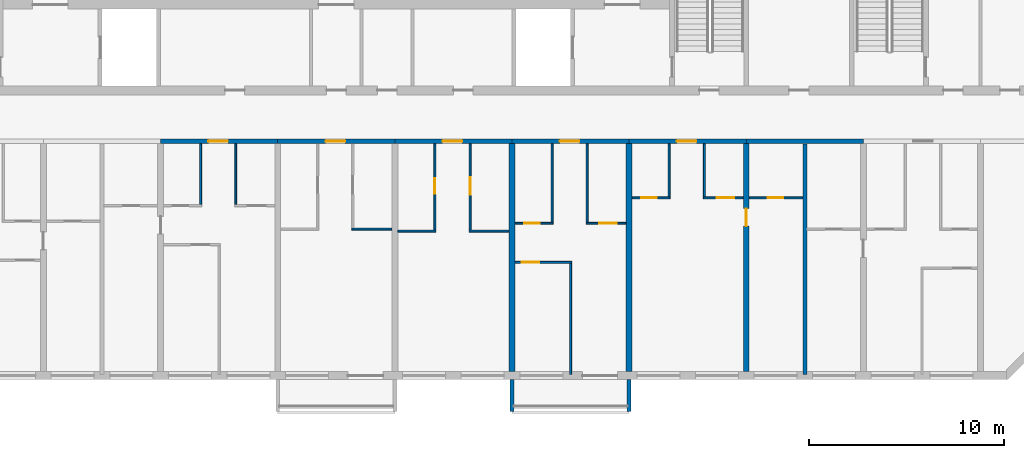
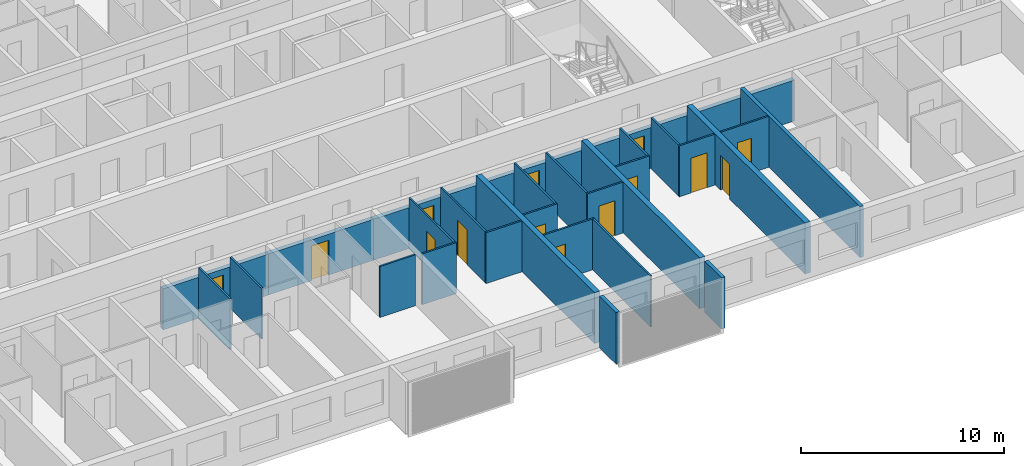
# One storey, part 5 of 31: 30 walls, 14 doors, 14 openings.
"""IFC4 building model written with IfcOpenShell, lengths in metres."""

from ifc_helpers import new_model, si_unit, direction, frame, frame_2d, origin, place, context, subcontext, project, spatial, polyline, rectangle, outline, extrude, source, transform, mapped, material, layer, layer_set, type_object, element, fill, save


model = new_model("IFC4")

# Units and contexts
model_context = context("Model", 3, precision=1e-05, world=origin(), true_north=direction((0.0, 1.0)))
body_context = subcontext(model_context, "Body", "Model", "MODEL_VIEW")
ifc_project = project(units=[si_unit("LENGTHUNIT", "METRE"), si_unit("AREAUNIT", "SQUARE_METRE"), si_unit("VOLUMEUNIT", "CUBIC_METRE"), si_unit("PLANEANGLEUNIT", "RADIAN"), si_unit("MASSUNIT", "GRAM", prefix="KILO")], contexts=[model_context])

# Site, building, storey
site_placement = place(None, origin())
site = spatial("IfcSite", under=ifc_project, at=site_placement, CompositionType="ELEMENT")
building_placement = place(site_placement, origin())
building = spatial("IfcBuilding", under=site, at=building_placement, Name="Poui Terraces", CompositionType="ELEMENT")
storey_placement = place(building_placement, frame((0.0, 0.0, 142.199951171875)))
storey = spatial("IfcBuildingStorey", under=building, at=storey_placement, Name="L39", CompositionType="ELEMENT", Elevation=142.199951171875)

# Wall, opening, door
ifc_material_1 = material(Name="Concrete 65 MPa", Category="concrete")
ifc_layer_1 = layer(ifc_material_1, 0.25)
ifc_layer_set_1 = layer_set([ifc_layer_1], Name="Concrete 65 MPa")
wall_type_1 = type_object("IfcWallType", Name="CORRIDOR WALL 250 65MPa", PredefinedType="SHEAR", material=ifc_layer_set_1)
wall_1_placement = place(storey_placement, frame((42.0, 12.0, 0.0), z_axis=(0.0, 0.0, 1.0), x_axis=(1.0, 0.0, 0.0)))
wall_1 = element("IfcWall", 1, at=wall_1_placement, inside=storey, type_object=wall_type_1, Name="CORRIDOR WALL LINE B BAY 6", PredefinedType="SHEAR", context=body_context, shape_type="SweptSolid", body=[
    extrude(rectangle(XDim=6.0, YDim=0.25, at=frame_2d((3.0, 0.0))), origin(), (0.0, 0.0, 1.0), 2.469970703125),
])
opening_1_placement = place(wall_1_placement, frame((2.449951171875, 0.0, 0.0)))
opening_1 = element("IfcOpeningElement", 2, at=opening_1_placement, cuts=wall_1, Name="Opening FD30S", PredefinedType="OPENING", context=body_context, shape_type="SweptSolid", body=[
    extrude(rectangle(XDim=1.0, YDim=2.10009765625, at=frame_2d((0.5, 1.050048828125))), frame((0.0, 0.135009765625, 0.0), z_axis=(0.0, -1.0, 0.0), x_axis=(1.0, 0.0, 0.0)), (0.0, 0.0, 1.0), 0.27001953125),
])
ifc_material_2 = material(Name="Steel fire door", Category="steel")
door_type_1 = type_object("IfcDoorType", Name="FLAT ENTRANCE DOOR 1000 X 2100", OperationType="NOTDEFINED", PredefinedType="DOOR", material=ifc_material_2)
door_1_placement = place(opening_1_placement, frame((1.0, 0.0, 0.0), z_axis=(0.0, 0.0, 1.0), x_axis=(-1.0, 0.0, 0.0)))
door_1 = element("IfcDoor", 3, at=door_1_placement, inside=storey, type_object=door_type_1, Name="FLAT ENTRANCE DOOR 096", OperationType="SINGLE_SWING_RIGHT", OverallHeight=2.10009765625, OverallWidth=1.0, PredefinedType="DOOR", context=body_context, shape_type="SweptSolid", body=[
    extrude(rectangle(XDim=1.0, YDim=2.10009765625, at=frame_2d((0.5, 1.050048828125))), frame((0.0, 0.02490234375, 0.0), z_axis=(0.0, -1.0, 0.0), x_axis=(1.0, 0.0, 0.0)), (0.0, 0.0, 1.0), 0.050048828125),
])
fill(opening_1, door_1)

wall_2_placement = place(storey_placement, frame((48.0, 12.0, 0.0), z_axis=(0.0, 0.0, 1.0), x_axis=(1.0, 0.0, 0.0)))
wall_2 = element("IfcWall", 4, at=wall_2_placement, inside=storey, type_object=wall_type_1, Name="CORRIDOR WALL LINE B BAY 7", PredefinedType="SHEAR", context=body_context, shape_type="SweptSolid", body=[
    extrude(rectangle(XDim=6.0, YDim=0.25, at=frame_2d((3.0, 0.0))), origin(), (0.0, 0.0, 1.0), 2.469970703125),
])
opening_2_placement = place(wall_2_placement, frame((2.449951171875, 0.0, 0.0)))
opening_2 = element("IfcOpeningElement", 5, at=opening_2_placement, cuts=wall_2, Name="Opening FD30S", PredefinedType="OPENING", context=body_context, shape_type="SweptSolid", body=[
    extrude(rectangle(XDim=1.0, YDim=2.10009765625, at=frame_2d((0.5, 1.050048828125))), frame((0.0, 0.135009765625, 0.0), z_axis=(0.0, -1.0, 0.0), x_axis=(1.0, 0.0, 0.0)), (0.0, 0.0, 1.0), 0.27001953125),
])
door_2_placement = place(opening_2_placement, frame((1.0, 0.0, 0.0), z_axis=(0.0, 0.0, 1.0), x_axis=(-1.0, 0.0, 0.0)))
door_2 = element("IfcDoor", 6, at=door_2_placement, inside=storey, type_object=door_type_1, Name="FLAT ENTRANCE DOOR 099", OperationType="SINGLE_SWING_RIGHT", OverallHeight=2.10009765625, OverallWidth=1.0, PredefinedType="DOOR", context=body_context, shape_type="SweptSolid", body=[
    extrude(rectangle(XDim=1.0, YDim=2.10009765625, at=frame_2d((0.5, 1.050048828125))), frame((0.0, 0.02490234375, 0.0), z_axis=(0.0, -1.0, 0.0), x_axis=(1.0, 0.0, 0.0)), (0.0, 0.0, 1.0), 0.050048828125),
])
fill(opening_2, door_2)

wall_3_placement = place(storey_placement, frame((54.0, 12.0, 0.0), z_axis=(0.0, 0.0, 1.0), x_axis=(1.0, 0.0, 0.0)))
wall_3 = element("IfcWall", 7, at=wall_3_placement, inside=storey, type_object=wall_type_1, Name="CORRIDOR WALL LINE B BAY 8", PredefinedType="SHEAR", context=body_context, shape_type="SweptSolid", body=[
    extrude(rectangle(XDim=6.0, YDim=0.25, at=frame_2d((3.0, 0.0))), origin(), (0.0, 0.0, 1.0), 2.469970703125),
])
opening_3_placement = place(wall_3_placement, frame((2.449951171875, 0.0, 0.0)))
opening_3 = element("IfcOpeningElement", 8, at=opening_3_placement, cuts=wall_3, Name="Opening FD30S", PredefinedType="OPENING", context=body_context, shape_type="SweptSolid", body=[
    extrude(rectangle(XDim=1.0, YDim=2.10009765625, at=frame_2d((0.5, 1.050048828125))), frame((0.0, 0.135009765625, 0.0), z_axis=(0.0, -1.0, 0.0), x_axis=(1.0, 0.0, 0.0)), (0.0, 0.0, 1.0), 0.27001953125),
])
door_3_placement = place(opening_3_placement, frame((1.0, 0.0, 0.0), z_axis=(0.0, 0.0, 1.0), x_axis=(-1.0, 0.0, 0.0)))
door_3 = element("IfcDoor", 9, at=door_3_placement, inside=storey, type_object=door_type_1, Name="FLAT ENTRANCE DOOR 102", OperationType="SINGLE_SWING_RIGHT", OverallHeight=2.10009765625, OverallWidth=1.0, PredefinedType="DOOR", context=body_context, shape_type="SweptSolid", body=[
    extrude(rectangle(XDim=1.0, YDim=2.10009765625, at=frame_2d((0.5, 1.050048828125))), frame((0.0, 0.02490234375, 0.0), z_axis=(0.0, -1.0, 0.0), x_axis=(1.0, 0.0, 0.0)), (0.0, 0.0, 1.0), 0.050048828125),
])
fill(opening_3, door_3)

wall_4_placement = place(storey_placement, frame((60.0, 12.0, 0.0), z_axis=(0.0, 0.0, 1.0), x_axis=(1.0, 0.0, 0.0)))
wall_4 = element("IfcWall", 10, at=wall_4_placement, inside=storey, type_object=wall_type_1, Name="CORRIDOR WALL LINE B BAY 9", PredefinedType="SHEAR", context=body_context, shape_type="SweptSolid", body=[
    extrude(rectangle(XDim=6.0, YDim=0.25, at=frame_2d((3.0, 0.0))), origin(), (0.0, 0.0, 1.0), 2.469970703125),
])
opening_4_placement = place(wall_4_placement, frame((2.449951171875, 0.0, 0.0)))
opening_4 = element("IfcOpeningElement", 11, at=opening_4_placement, cuts=wall_4, Name="Opening FD30S", PredefinedType="OPENING", context=body_context, shape_type="SweptSolid", body=[
    extrude(rectangle(XDim=1.0, YDim=2.10009765625, at=frame_2d((0.5, 1.050048828125))), frame((0.0, 0.135009765625, 0.0), z_axis=(0.0, -1.0, 0.0), x_axis=(1.0, 0.0, 0.0)), (0.0, 0.0, 1.0), 0.27001953125),
])
door_4_placement = place(opening_4_placement, frame((1.0, 0.0, 0.0), z_axis=(0.0, 0.0, 1.0), x_axis=(-1.0, 0.0, 0.0)))
door_4 = element("IfcDoor", 12, at=door_4_placement, inside=storey, type_object=door_type_1, Name="FLAT ENTRANCE DOOR 106", OperationType="SINGLE_SWING_RIGHT", OverallHeight=2.10009765625, OverallWidth=1.0, PredefinedType="DOOR", context=body_context, shape_type="SweptSolid", body=[
    extrude(rectangle(XDim=1.0, YDim=2.10009765625, at=frame_2d((0.5, 1.050048828125))), frame((0.0, 0.02490234375, 0.0), z_axis=(0.0, -1.0, 0.0), x_axis=(1.0, 0.0, 0.0)), (0.0, 0.0, 1.0), 0.050048828125),
])
fill(opening_4, door_4)

wall_5_placement = place(storey_placement, frame((66.0, 12.0, 0.0), z_axis=(0.0, 0.0, 1.0), x_axis=(1.0, 0.0, 0.0)))
wall_5 = element("IfcWall", 13, at=wall_5_placement, inside=storey, type_object=wall_type_1, Name="CORRIDOR WALL LINE B BAY 10", PredefinedType="SHEAR", context=body_context, shape_type="SweptSolid", body=[
    extrude(rectangle(XDim=6.0, YDim=0.25, at=frame_2d((3.0, 0.0))), origin(), (0.0, 0.0, 1.0), 2.469970703125),
])
opening_5_placement = place(wall_5_placement, frame((2.449951171875, 0.0, 0.0)))
opening_5 = element("IfcOpeningElement", 14, at=opening_5_placement, cuts=wall_5, Name="Opening FD30S", PredefinedType="OPENING", context=body_context, shape_type="SweptSolid", body=[
    extrude(rectangle(XDim=1.0, YDim=2.10009765625, at=frame_2d((0.5, 1.050048828125))), frame((0.0, 0.135009765625, 0.0), z_axis=(0.0, -1.0, 0.0), x_axis=(1.0, 0.0, 0.0)), (0.0, 0.0, 1.0), 0.27001953125),
])
door_5_placement = place(opening_5_placement, frame((1.0, 0.0, 0.0), z_axis=(0.0, 0.0, 1.0), x_axis=(-1.0, 0.0, 0.0)))
door_5 = element("IfcDoor", 15, at=door_5_placement, inside=storey, type_object=door_type_1, Name="FLAT ENTRANCE DOOR 110", OperationType="SINGLE_SWING_RIGHT", OverallHeight=2.10009765625, OverallWidth=1.0, PredefinedType="DOOR", context=body_context, shape_type="SweptSolid", body=[
    extrude(rectangle(XDim=1.0, YDim=2.10009765625, at=frame_2d((0.5, 1.050048828125))), frame((0.0, 0.02490234375, 0.0), z_axis=(0.0, -1.0, 0.0), x_axis=(1.0, 0.0, 0.0)), (0.0, 0.0, 1.0), 0.050048828125),
])
fill(opening_5, door_5)

# Walls
wall_6_placement = place(storey_placement, frame((72.0, 12.0, 0.0), z_axis=(0.0, 0.0, 1.0), x_axis=(1.0, 0.0, 0.0)))
element("IfcWall", 16, at=wall_6_placement, inside=storey, type_object=wall_type_1, Name="CORRIDOR WALL LINE B BAY 11", PredefinedType="SHEAR", context=body_context, shape_type="SweptSolid", body=[
    extrude(rectangle(XDim=6.0, YDim=0.25, at=frame_2d((3.0, 0.0))), origin(), (0.0, 0.0, 1.0), 2.469970703125),
])
ifc_layer_2 = layer(ifc_material_1, 0.300048828125)
ifc_layer_set_2 = layer_set([ifc_layer_2], Name="Concrete 65 MPa")
wall_type_2 = type_object("IfcWallType", Name="CROSS WALL 300 65MPa", PredefinedType="SHEAR", material=ifc_layer_set_2)
for number, where, z_axis, x_axis, name in (
    (17, (60.0, 0.199951171875, 0.0), (0.0, 0.0, 1.0), (0.0, 1.0, 0.0), "CROSS WALL LINE 11 SOUTH"),
    (18, (66.0, 0.199951171875, 0.0), (0.0, 0.0, 1.0), (0.0, 1.0, 0.0), "CROSS WALL LINE 12 SOUTH"),
):
    element("IfcWall", number, at=place(storey_placement, frame(where, z_axis=z_axis, x_axis=x_axis)), inside=storey, type_object=wall_type_2, Name=name, PredefinedType="SHEAR", context=body_context, shape_type="SweptSolid", body=[
        extrude(rectangle(XDim=11.675048828125, YDim=0.300048828125, at=frame_2d((5.83740234375, 0.0))), origin(), (0.0, 0.0, 1.0), 3.070068359375),
    ])

# Wall, opening, door
wall_7_placement = place(storey_placement, frame((72.0, 0.199951171875, 0.0), z_axis=(0.0, 0.0, 1.0), x_axis=(0.0, 1.0, 0.0)))
wall_7 = element("IfcWall", 19, at=wall_7_placement, inside=storey, type_object=wall_type_2, Name="CROSS WALL LINE 13 SOUTH", PredefinedType="SHEAR", context=body_context, shape_type="SweptSolid", body=[
    extrude(rectangle(XDim=11.675048828125, YDim=0.300048828125, at=frame_2d((5.83740234375, 0.0))), origin(), (0.0, 0.0, 1.0), 3.070068359375),
])
opening_6_placement = place(wall_7_placement, frame((7.449951171875, 0.0, 0.0)))
opening_6 = element("IfcOpeningElement", 20, at=opening_6_placement, cuts=wall_7, Name="Opening D90", PredefinedType="OPENING", context=body_context, shape_type="SweptSolid", body=[
    extrude(rectangle(XDim=0.89990234375, YDim=2.10009765625, at=frame_2d((0.449951171875, 1.050048828125))), frame((0.0, 0.16015625, 0.0), z_axis=(0.0, -1.0, 0.0), x_axis=(1.0, 0.0, 0.0)), (0.0, 0.0, 1.0), 0.320068359375),
])
ifc_material_3 = material(Name="Solid core timber door", Category="wood")
door_type_2 = type_object("IfcDoorType", Name="INTERNAL DOOR 900 X 2100", OperationType="NOTDEFINED", PredefinedType="DOOR", material=ifc_material_3)
door_6_placement = place(opening_6_placement, frame((0.89990234375, 0.0, 0.0), z_axis=(0.0, 0.0, 1.0), x_axis=(-1.0, 0.0, 0.0)))
door_6 = element("IfcDoor", 21, at=door_6_placement, inside=storey, type_object=door_type_2, Name="INTERNAL DOOR 112", OperationType="SINGLE_SWING_LEFT", OverallHeight=2.10009765625, OverallWidth=0.89990234375, PredefinedType="DOOR", context=body_context, shape_type="SweptSolid", body=[
    extrude(rectangle(XDim=0.89990234375, YDim=2.10009765625, at=frame_2d((0.449951171875, 1.050048828125))), frame((0.0, 0.02490234375, 0.0), z_axis=(0.0, -1.0, 0.0), x_axis=(1.0, 0.0, 0.0)), (0.0, 0.0, 1.0), 0.050048828125),
])
fill(opening_6, door_6)

ifc_material_4 = material(Name="Plasterboard partition")
ifc_layer_3 = layer(ifc_material_4, 0.10009765625)
ifc_layer_set_3 = layer_set([ifc_layer_3], Name="Plasterboard partition")
wall_type_3 = type_object("IfcWallType", Name="FLAT PARTITION 100", PredefinedType="PARTITIONING", material=ifc_layer_set_3)
wall_8_placement = place(storey_placement, frame((60.159912109375, 5.800048828125, 0.0), z_axis=(0.0, 0.0, 1.0), x_axis=(1.0, 0.0, 0.0)))
wall_8 = element("IfcWall", 22, at=wall_8_placement, inside=storey, type_object=wall_type_3, Name="FLAT PARTITION 100", PredefinedType="PARTITIONING", context=body_context, shape_type="SweptSolid", body=[
    extrude(rectangle(XDim=2.89013671875, YDim=0.10009765625, at=frame_2d((1.445068359375, 0.0))), origin(), (0.0, 0.0, 1.0), 3.070068359375),
])
opening_7_placement = place(wall_8_placement, frame((0.340087890625, 0.0, 0.0)))
opening_7 = element("IfcOpeningElement", 23, at=opening_7_placement, cuts=wall_8, Name="Opening D90", PredefinedType="OPENING", context=body_context, shape_type="SweptSolid", body=[
    extrude(rectangle(XDim=0.89990234375, YDim=2.10009765625, at=frame_2d((0.449951171875, 1.050048828125))), frame((0.0, 0.06005859375, 0.0), z_axis=(0.0, -1.0, 0.0), x_axis=(1.0, 0.0, 0.0)), (0.0, 0.0, 1.0), 0.1201171875),
])
door_7_placement = place(opening_7_placement, origin())
door_7 = element("IfcDoor", 24, at=door_7_placement, inside=storey, type_object=door_type_2, Name="INTERNAL DOOR 104", OperationType="SINGLE_SWING_RIGHT", OverallHeight=2.10009765625, OverallWidth=0.89990234375, PredefinedType="DOOR", context=body_context, shape_type="SweptSolid", body=[
    extrude(rectangle(XDim=0.89990234375, YDim=2.10009765625, at=frame_2d((0.449951171875, 1.050048828125))), frame((0.0, 0.02490234375, 0.0), z_axis=(0.0, -1.0, 0.0), x_axis=(1.0, 0.0, 0.0)), (0.0, 0.0, 1.0), 0.050048828125),
])
fill(opening_7, door_7)

# Walls
wall_9_placement = place(storey_placement, frame((54.159912109375, 7.39990234375, 0.0), z_axis=(0.0, 0.0, 1.0), x_axis=(1.0, 0.0, 0.0)))
element("IfcWall", 25, at=wall_9_placement, inside=storey, type_object=wall_type_3, Name="FLAT PARTITION 100", PredefinedType="PARTITIONING", context=body_context, shape_type="SweptSolid", body=[
    extrude(rectangle(XDim=1.940185546875, YDim=0.10009765625, at=frame_2d((0.97021484375, 0.0))), origin(), (0.0, 0.0, 1.0), 3.070068359375),
])
for number, where, z_axis, x_axis, name in (
    (26, (57.800048828125, 7.39990234375, 0.0), (0.0, 0.0, 1.0), (1.0, 0.0, 0.0), "FLAT PARTITION 100"),
    (27, (51.800048828125, 7.5, 0.0), (0.0, 0.0, 1.0), (1.0, 0.0, 0.0), "FLAT PARTITION 100"),
):
    element("IfcWall", number, at=place(storey_placement, frame(where, z_axis=z_axis, x_axis=x_axis)), inside=storey, type_object=wall_type_3, Name=name, PredefinedType="PARTITIONING", context=body_context, shape_type="SweptSolid", body=[
        extrude(rectangle(XDim=2.0400390625, YDim=0.10009765625, at=frame_2d((1.02001953125, 0.0))), origin(), (0.0, 0.0, 1.0), 3.070068359375),
    ])

# Wall, opening, door
wall_10_placement = place(storey_placement, frame((60.159912109375, 7.800048828125, 0.0), z_axis=(0.0, 0.0, 1.0), x_axis=(1.0, 0.0, 0.0)))
wall_10 = element("IfcWall", 28, at=wall_10_placement, inside=storey, type_object=wall_type_3, Name="FLAT PARTITION 100", PredefinedType="PARTITIONING", context=body_context, shape_type="SweptSolid", body=[
    extrude(rectangle(XDim=1.940185546875, YDim=0.10009765625, at=frame_2d((0.97021484375, 0.0))), origin(), (0.0, 0.0, 1.0), 3.070068359375),
])
opening_8_placement = place(wall_10_placement, frame((0.465087890625, 0.0, 0.0)))
opening_8 = element("IfcOpeningElement", 29, at=opening_8_placement, cuts=wall_10, Name="Opening D80", PredefinedType="OPENING", context=body_context, shape_type="SweptSolid", body=[
    extrude(rectangle(XDim=0.800048828125, YDim=2.10009765625, at=frame_2d((0.39990234375, 1.050048828125))), frame((0.0, 0.06005859375, 0.0), z_axis=(0.0, -1.0, 0.0), x_axis=(1.0, 0.0, 0.0)), (0.0, 0.0, 1.0), 0.1201171875),
])
door_type_3 = type_object("IfcDoorType", Name="BATHROOM, LAUNDRY AND STORE DOOR 800 X 2100", OperationType="NOTDEFINED", PredefinedType="DOOR", material=ifc_material_3)
door_8_placement = place(opening_8_placement, origin())
door_8 = element("IfcDoor", 30, at=door_8_placement, inside=storey, type_object=door_type_3, Name="BATHROOM, LAUNDRY AND STORE DOOR 105", OperationType="SINGLE_SWING_LEFT", OverallHeight=2.10009765625, OverallWidth=0.800048828125, PredefinedType="DOOR", context=body_context, shape_type="SweptSolid", body=[
    extrude(rectangle(XDim=0.800048828125, YDim=2.10009765625, at=frame_2d((0.39990234375, 1.050048828125))), frame((0.0, 0.02490234375, 0.0), z_axis=(0.0, -1.0, 0.0), x_axis=(1.0, 0.0, 0.0)), (0.0, 0.0, 1.0), 0.050048828125),
])
fill(opening_8, door_8)

wall_11_placement = place(storey_placement, frame((63.800048828125, 7.800048828125, 0.0), z_axis=(0.0, 0.0, 1.0), x_axis=(1.0, 0.0, 0.0)))
wall_11 = element("IfcWall", 31, at=wall_11_placement, inside=storey, type_object=wall_type_3, Name="FLAT PARTITION 100", PredefinedType="PARTITIONING", context=body_context, shape_type="SweptSolid", body=[
    extrude(rectangle(XDim=2.0400390625, YDim=0.10009765625, at=frame_2d((1.02001953125, 0.0))), origin(), (0.0, 0.0, 1.0), 3.070068359375),
])
opening_9_placement = place(wall_11_placement, frame((0.675048828125, 0.0, 0.0)))
opening_9 = element("IfcOpeningElement", 32, at=opening_9_placement, cuts=wall_11, Name="Opening D90", PredefinedType="OPENING", context=body_context, shape_type="SweptSolid", body=[
    extrude(rectangle(XDim=0.89990234375, YDim=2.10009765625, at=frame_2d((0.449951171875, 1.050048828125))), frame((0.0, 0.06005859375, 0.0), z_axis=(0.0, -1.0, 0.0), x_axis=(1.0, 0.0, 0.0)), (0.0, 0.0, 1.0), 0.1201171875),
])
door_9_placement = place(opening_9_placement, origin())
door_9 = element("IfcDoor", 33, at=door_9_placement, inside=storey, type_object=door_type_2, Name="INTERNAL DOOR 107", OperationType="SINGLE_SWING_RIGHT", OverallHeight=2.10009765625, OverallWidth=0.89990234375, PredefinedType="DOOR", context=body_context, shape_type="SweptSolid", body=[
    extrude(rectangle(XDim=0.89990234375, YDim=2.10009765625, at=frame_2d((0.449951171875, 1.050048828125))), frame((0.0, 0.02490234375, 0.0), z_axis=(0.0, -1.0, 0.0), x_axis=(1.0, 0.0, 0.0)), (0.0, 0.0, 1.0), 0.050048828125),
])
fill(opening_9, door_9)

wall_12_placement = place(storey_placement, frame((66.159912109375, 9.10009765625, 0.0), z_axis=(0.0, 0.0, 1.0), x_axis=(1.0, 0.0, 0.0)))
wall_12 = element("IfcWall", 34, at=wall_12_placement, inside=storey, type_object=wall_type_3, Name="FLAT PARTITION 100", PredefinedType="PARTITIONING", context=body_context, shape_type="SweptSolid", body=[
    extrude(rectangle(XDim=1.940185546875, YDim=0.10009765625, at=frame_2d((0.97021484375, 0.0))), origin(), (0.0, 0.0, 1.0), 3.070068359375),
])
opening_10_placement = place(wall_12_placement, frame((0.465087890625, 0.0, 0.0)))
opening_10 = element("IfcOpeningElement", 35, at=opening_10_placement, cuts=wall_12, Name="Opening D80", PredefinedType="OPENING", context=body_context, shape_type="SweptSolid", body=[
    extrude(rectangle(XDim=0.800048828125, YDim=2.10009765625, at=frame_2d((0.39990234375, 1.050048828125))), frame((0.0, 0.06005859375, 0.0), z_axis=(0.0, -1.0, 0.0), x_axis=(1.0, 0.0, 0.0)), (0.0, 0.0, 1.0), 0.1201171875),
])
door_10_placement = place(opening_10_placement, origin())
door_10 = element("IfcDoor", 36, at=door_10_placement, inside=storey, type_object=door_type_3, Name="BATHROOM, LAUNDRY AND STORE DOOR 109", OperationType="SINGLE_SWING_LEFT", OverallHeight=2.10009765625, OverallWidth=0.800048828125, PredefinedType="DOOR", context=body_context, shape_type="SweptSolid", body=[
    extrude(rectangle(XDim=0.800048828125, YDim=2.10009765625, at=frame_2d((0.39990234375, 1.050048828125))), frame((0.0, 0.02490234375, 0.0), z_axis=(0.0, -1.0, 0.0), x_axis=(1.0, 0.0, 0.0)), (0.0, 0.0, 1.0), 0.050048828125),
])
fill(opening_10, door_10)

wall_13_placement = place(storey_placement, frame((69.800048828125, 9.10009765625, 0.0), z_axis=(0.0, 0.0, 1.0), x_axis=(1.0, 0.0, 0.0)))
wall_13 = element("IfcWall", 37, at=wall_13_placement, inside=storey, type_object=wall_type_3, Name="FLAT PARTITION 100", PredefinedType="PARTITIONING", context=body_context, shape_type="SweptSolid", body=[
    extrude(rectangle(XDim=2.0400390625, YDim=0.10009765625, at=frame_2d((1.02001953125, 0.0))), origin(), (0.0, 0.0, 1.0), 3.070068359375),
])
opening_11_placement = place(wall_13_placement, frame((0.675048828125, 0.0, 0.0)))
opening_11 = element("IfcOpeningElement", 38, at=opening_11_placement, cuts=wall_13, Name="Opening D90", PredefinedType="OPENING", context=body_context, shape_type="SweptSolid", body=[
    extrude(rectangle(XDim=0.89990234375, YDim=2.10009765625, at=frame_2d((0.449951171875, 1.050048828125))), frame((0.0, 0.06005859375, 0.0), z_axis=(0.0, -1.0, 0.0), x_axis=(1.0, 0.0, 0.0)), (0.0, 0.0, 1.0), 0.1201171875),
])
door_11_placement = place(opening_11_placement, origin())
door_11 = element("IfcDoor", 39, at=door_11_placement, inside=storey, type_object=door_type_2, Name="INTERNAL DOOR 111", OperationType="SINGLE_SWING_RIGHT", OverallHeight=2.10009765625, OverallWidth=0.89990234375, PredefinedType="DOOR", context=body_context, shape_type="SweptSolid", body=[
    extrude(rectangle(XDim=0.89990234375, YDim=2.10009765625, at=frame_2d((0.449951171875, 1.050048828125))), frame((0.0, 0.02490234375, 0.0), z_axis=(0.0, -1.0, 0.0), x_axis=(1.0, 0.0, 0.0)), (0.0, 0.0, 1.0), 0.050048828125),
])
fill(opening_11, door_11)

wall_14_placement = place(storey_placement, frame((72.159912109375, 9.10009765625, 0.0), z_axis=(0.0, 0.0, 1.0), x_axis=(1.0, 0.0, 0.0)))
wall_14 = element("IfcWall", 40, at=wall_14_placement, inside=storey, type_object=wall_type_3, Name="FLAT PARTITION 100", PredefinedType="PARTITIONING", context=body_context, shape_type="SweptSolid", body=[
    extrude(rectangle(XDim=2.739990234375, YDim=0.10009765625, at=frame_2d((1.3701171875, 0.0))), origin(), (0.0, 0.0, 1.0), 3.070068359375),
])
opening_12_placement = place(wall_14_placement, frame((0.93994140625, 0.0, 0.0)))
opening_12 = element("IfcOpeningElement", 41, at=opening_12_placement, cuts=wall_14, Name="Opening D80", PredefinedType="OPENING", context=body_context, shape_type="SweptSolid", body=[
    extrude(rectangle(XDim=0.800048828125, YDim=2.10009765625, at=frame_2d((0.39990234375, 1.050048828125))), frame((0.0, 0.06005859375, 0.0), z_axis=(0.0, -1.0, 0.0), x_axis=(1.0, 0.0, 0.0)), (0.0, 0.0, 1.0), 0.1201171875),
])
door_12_placement = place(opening_12_placement, origin())
door_12 = element("IfcDoor", 42, at=door_12_placement, inside=storey, type_object=door_type_3, Name="BATHROOM, LAUNDRY AND STORE DOOR 108", OperationType="SINGLE_SWING_RIGHT", OverallHeight=2.10009765625, OverallWidth=0.800048828125, PredefinedType="DOOR", context=body_context, shape_type="SweptSolid", body=[
    extrude(rectangle(XDim=0.800048828125, YDim=2.10009765625, at=frame_2d((0.39990234375, 1.050048828125))), frame((0.0, 0.02490234375, 0.0), z_axis=(0.0, -1.0, 0.0), x_axis=(1.0, 0.0, 0.0)), (0.0, 0.0, 1.0), 0.050048828125),
])
fill(opening_12, door_12)

# Walls
for number, where, z_axis, x_axis, name in (
    (43, (44.050048828125, 8.75, 0.0), (0.0, 0.0, 1.0), (0.0, 1.0, 0.0), "FLAT PARTITION 100"),
    (44, (45.85009765625, 8.75, 0.0), (0.0, 0.0, 1.0), (0.0, 1.0, 0.0), "FLAT PARTITION 100"),
):
    element("IfcWall", number, at=place(storey_placement, frame(where, z_axis=z_axis, x_axis=x_axis)), inside=storey, type_object=wall_type_3, Name=name, PredefinedType="PARTITIONING", context=body_context, shape_type="SweptSolid", body=[
        extrude(rectangle(XDim=3.114990234375, YDim=0.10009765625, at=frame_2d((1.5576171875, 0.0))), origin(), (0.0, 0.0, 1.0), 3.070068359375),
    ])

# Wall, opening, door
wall_15_placement = place(storey_placement, frame((56.050048828125, 7.449951171875, 0.0), z_axis=(0.0, 0.0, 1.0), x_axis=(0.0, 1.0, 0.0)))
wall_15 = element("IfcWall", 45, at=wall_15_placement, inside=storey, type_object=wall_type_3, Name="FLAT PARTITION 100", PredefinedType="PARTITIONING", context=body_context, shape_type="SweptSolid", body=[
    extrude(rectangle(XDim=4.4150390625, YDim=0.10009765625, at=frame_2d((2.20751953125, 0.0))), origin(), (0.0, 0.0, 1.0), 3.070068359375),
])
opening_13_placement = place(wall_15_placement, frame((1.85009765625, 0.0, 0.0)))
opening_13 = element("IfcOpeningElement", 46, at=opening_13_placement, cuts=wall_15, Name="Opening D80", PredefinedType="OPENING", context=body_context, shape_type="SweptSolid", body=[
    extrude(rectangle(XDim=0.800048828125, YDim=2.10009765625, at=frame_2d((0.39990234375, 1.050048828125))), frame((0.0, 0.06005859375, 0.0), z_axis=(0.0, -1.0, 0.0), x_axis=(1.0, 0.0, 0.0)), (0.0, 0.0, 1.0), 0.1201171875),
])
door_13_placement = place(opening_13_placement, origin())
door_13 = element("IfcDoor", 47, at=door_13_placement, inside=storey, type_object=door_type_3, Name="BATHROOM, LAUNDRY AND STORE DOOR 101", OperationType="SINGLE_SWING_LEFT", OverallHeight=2.10009765625, OverallWidth=0.800048828125, PredefinedType="DOOR", context=body_context, shape_type="SweptSolid", body=[
    extrude(rectangle(XDim=0.800048828125, YDim=2.10009765625, at=frame_2d((0.39990234375, 1.050048828125))), frame((0.0, 0.02490234375, 0.0), z_axis=(0.0, -1.0, 0.0), x_axis=(1.0, 0.0, 0.0)), (0.0, 0.0, 1.0), 0.050048828125),
])
fill(opening_13, door_13)

wall_16_placement = place(storey_placement, frame((57.85009765625, 7.449951171875, 0.0), z_axis=(0.0, 0.0, 1.0), x_axis=(0.0, 1.0, 0.0)))
wall_16 = element("IfcWall", 48, at=wall_16_placement, inside=storey, type_object=wall_type_3, Name="FLAT PARTITION 100", PredefinedType="PARTITIONING", context=body_context, shape_type="SweptSolid", body=[
    extrude(rectangle(XDim=4.4150390625, YDim=0.10009765625, at=frame_2d((2.20751953125, 0.0))), origin(), (0.0, 0.0, 1.0), 3.070068359375),
])
opening_14_placement = place(wall_16_placement, frame((1.800048828125, 0.0, 0.0)))
opening_14 = element("IfcOpeningElement", 49, at=opening_14_placement, cuts=wall_16, Name="Opening D90", PredefinedType="OPENING", context=body_context, shape_type="SweptSolid", body=[
    extrude(rectangle(XDim=0.89990234375, YDim=2.10009765625, at=frame_2d((0.449951171875, 1.050048828125))), frame((0.0, 0.06005859375, 0.0), z_axis=(0.0, -1.0, 0.0), x_axis=(1.0, 0.0, 0.0)), (0.0, 0.0, 1.0), 0.1201171875),
])
door_14_placement = place(opening_14_placement, frame((0.89990234375, 0.0, 0.0), z_axis=(0.0, 0.0, 1.0), x_axis=(-1.0, 0.0, 0.0)))
door_14 = element("IfcDoor", 50, at=door_14_placement, inside=storey, type_object=door_type_2, Name="INTERNAL DOOR 103", OperationType="SINGLE_SWING_LEFT", OverallHeight=2.10009765625, OverallWidth=0.89990234375, PredefinedType="DOOR", context=body_context, shape_type="SweptSolid", body=[
    extrude(rectangle(XDim=0.89990234375, YDim=2.10009765625, at=frame_2d((0.449951171875, 1.050048828125))), frame((0.0, 0.02490234375, 0.0), z_axis=(0.0, -1.0, 0.0), x_axis=(1.0, 0.0, 0.0)), (0.0, 0.0, 1.0), 0.050048828125),
])
fill(opening_14, door_14)

# Walls
wall_17_placement = place(storey_placement, frame((62.050048828125, 7.85009765625, 0.0), z_axis=(0.0, 0.0, 1.0), x_axis=(0.0, 1.0, 0.0)))
element("IfcWall", 51, at=wall_17_placement, inside=storey, type_object=wall_type_3, Name="FLAT PARTITION 100", PredefinedType="PARTITIONING", context=body_context, shape_type="SweptSolid", body=[
    extrude(rectangle(XDim=4.014892578125, YDim=0.10009765625, at=frame_2d((2.00732421875, 0.0))), origin(), (0.0, 0.0, 1.0), 3.070068359375),
])
wall_18_placement = place(storey_placement, frame((63.0, 0.06005859375, 0.0), z_axis=(0.0, 0.0, 1.0), x_axis=(0.0, 1.0, 0.0)))
element("IfcWall", 52, at=wall_18_placement, inside=storey, type_object=wall_type_3, Name="FLAT PARTITION 100", PredefinedType="PARTITIONING", context=body_context, shape_type="SweptSolid", body=[
    extrude(rectangle(XDim=5.68994140625, YDim=0.10009765625, at=frame_2d((2.844970703125, 0.0))), origin(), (0.0, 0.0, 1.0), 3.070068359375),
])
wall_19_placement = place(storey_placement, frame((63.85009765625, 7.85009765625, 0.0), z_axis=(0.0, 0.0, 1.0), x_axis=(0.0, 1.0, 0.0)))
element("IfcWall", 53, at=wall_19_placement, inside=storey, type_object=wall_type_3, Name="FLAT PARTITION 100", PredefinedType="PARTITIONING", context=body_context, shape_type="SweptSolid", body=[
    extrude(rectangle(XDim=4.014892578125, YDim=0.10009765625, at=frame_2d((2.00732421875, 0.0))), origin(), (0.0, 0.0, 1.0), 3.070068359375),
])
for number, where, z_axis, x_axis, name in (
    (54, (68.050048828125, 9.14990234375, 0.0), (0.0, 0.0, 1.0), (0.0, 1.0, 0.0), "FLAT PARTITION 100"),
    (55, (69.85009765625, 9.14990234375, 0.0), (0.0, 0.0, 1.0), (0.0, 1.0, 0.0), "FLAT PARTITION 100"),
):
    element("IfcWall", number, at=place(storey_placement, frame(where, z_axis=z_axis, x_axis=x_axis)), inside=storey, type_object=wall_type_3, Name=name, PredefinedType="PARTITIONING", context=body_context, shape_type="SweptSolid", body=[
        extrude(rectangle(XDim=2.715087890625, YDim=0.10009765625, at=frame_2d((1.357421875, 0.0))), origin(), (0.0, 0.0, 1.0), 3.070068359375),
    ])
ifc_material_5 = material(Name="Fire-rated masonry wall", Category="masonry")
ifc_layer_4 = layer(ifc_material_5, 0.199951171875)
ifc_layer_set_4 = layer_set([ifc_layer_4], Name="Fire-rated masonry wall")
wall_type_4 = type_object("IfcWallType", Name="FLAT PARTY WALL 200", PredefinedType="PARTITIONING", material=ifc_layer_set_4)
wall_20_placement = place(storey_placement, frame((75.0, 0.06005859375, 0.0), z_axis=(0.0, 0.0, 1.0), x_axis=(0.0, 1.0, 0.0)))
element("IfcWall", 56, at=wall_20_placement, inside=storey, type_object=wall_type_4, Name="FLAT PARTY WALL 200", PredefinedType="PARTITIONING", context=body_context, shape_type="SweptSolid", body=[
    extrude(rectangle(XDim=11.804931640625, YDim=0.199951171875, at=frame_2d((5.90234375, 0.0))), origin(), (0.0, 0.0, 1.0), 3.070068359375),
])
ifc_material_6 = material(Name="Precast concrete 40 MPa", Category="concrete")
ifc_layer_5 = layer(ifc_material_6, 0.199951171875)
ifc_layer_set_5 = layer_set([ifc_layer_5], Name="Precast concrete 40 MPa")
wall_type_5 = type_object("IfcWallType", Name="REAR FIN 200", PredefinedType="STANDARD", material=ifc_layer_set_5)
shared_shape = source(origin(), body_context, "Body", "SweptSolid", [
    extrude(outline(polyline([(0.0, 0.0), (0.2001953125, 0.0), (0.2001953125, 1.650146484375), (0.0, 1.650146484375), (0.0, 0.0)])), origin(), (0.0, 0.0, 1.0), 3.10009765625),
])
for number, where, name in (
    (57, (59.89990234375, -1.85009765625, 0.0), "REAR FIN"),
    (58, (65.89990234375, -1.85009765625, 0.0), "REAR FIN"),
):
    element("IfcWall", number, at=place(storey_placement, frame(where)), inside=storey, type_object=wall_type_5, Name=name, PredefinedType="STANDARD", context=body_context, shape_type="MappedRepresentation", body=[
        mapped(shared_shape, transform((0.0, 0.0, 0.0))),
    ])

save(model, "model.ifc")
